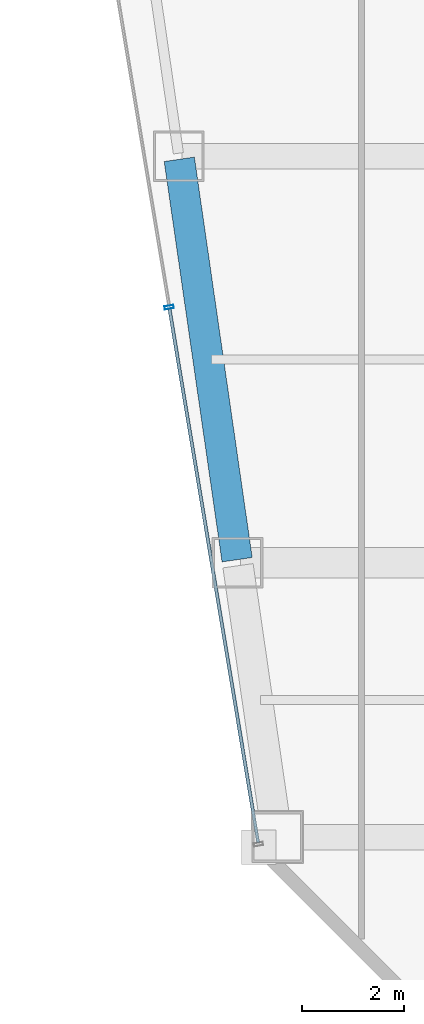
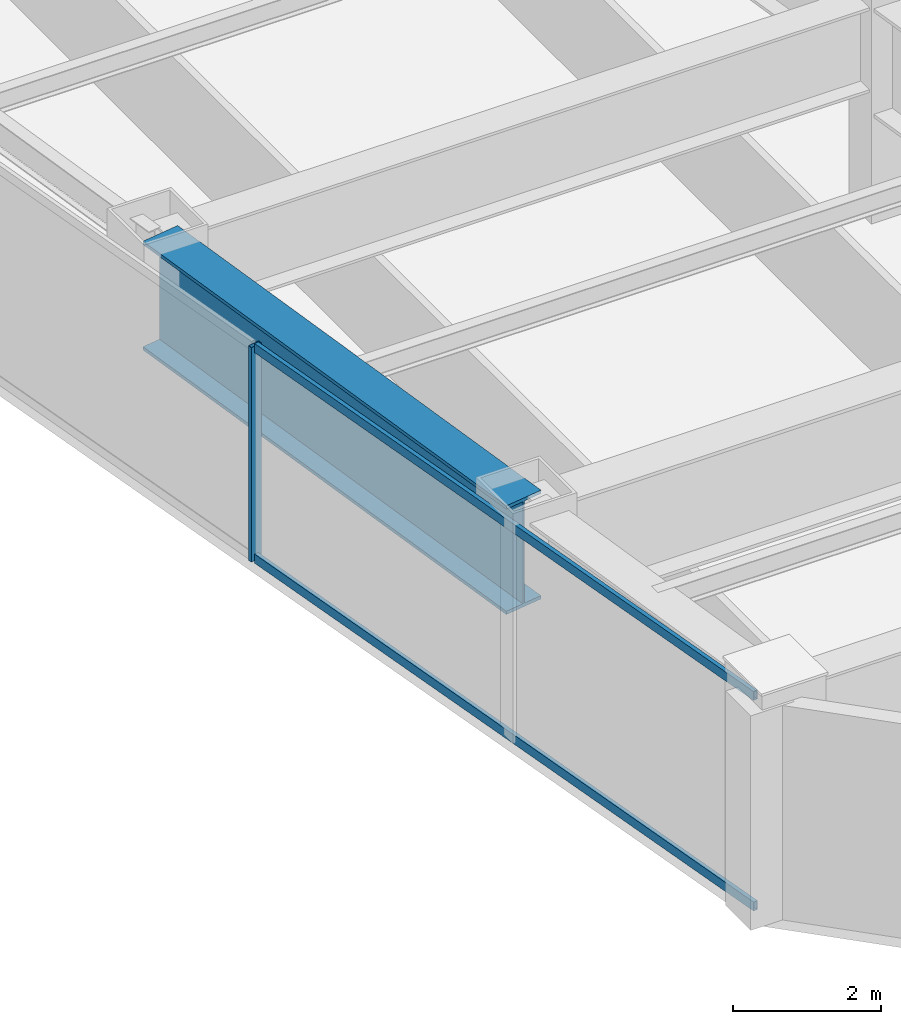
# One storey, part 3 of 37: 3 members, 1 beam, 1 element without a shape of its own.
"""IFC4 building model written with IfcOpenShell, lengths in metres."""

from ifc_helpers import new_model, si_unit, direction, frame, origin, origin_2d, place, context, subcontext, project, spatial, hollow_rectangle, i_section, extrude, material, material_profile, profile_set, type_object, element, aggregate, save


model = new_model("IFC4")

# Units and contexts
model_context = context("Model", 3, precision=1e-05, world=origin(), true_north=direction((0.0, 1.0)))
body_context = subcontext(model_context, "Body", "Model", "MODEL_VIEW")
ifc_project = project(units=[si_unit("LENGTHUNIT", "METRE"), si_unit("AREAUNIT", "SQUARE_METRE"), si_unit("VOLUMEUNIT", "CUBIC_METRE"), si_unit("PLANEANGLEUNIT", "RADIAN"), si_unit("MASSUNIT", "GRAM", prefix="KILO")], contexts=[model_context])

# Site, building, storey
site_placement = place(None, origin())
site = spatial("IfcSite", under=ifc_project, at=site_placement, CompositionType="ELEMENT")
building_placement = place(site_placement, origin())
building = spatial("IfcBuilding", under=site, at=building_placement, Name="Saevonmaru Cultural Tower", CompositionType="ELEMENT")
storey_placement = place(building_placement, frame((0.0, 0.0, 163.800048828125)))
storey = spatial("IfcBuildingStorey", under=building, at=storey_placement, Name="L36", CompositionType="ELEMENT", Elevation=163.800048828125)

# Beam
ifc_material_1 = material(Name="Steel HSA600 (600 MPa)", Category="steel")
ifc_material_profile_1 = material_profile(ifc_material_1, i_section(OverallWidth=0.60009765625, OverallDepth=1.800048828125, WebThickness=0.028076171875, FlangeThickness=0.054931640625, at=origin_2d()), Name="PG-1800x600x28x55")
ifc_profile_set_1 = profile_set([ifc_material_profile_1], Name="Steel HSA600 (600 MPa)")
beam_type = type_object("IfcBeamType", Name="BM-TG-PG1800-EXT", PredefinedType="SPANDREL", material=ifc_profile_set_1)
beam_placement = place(storey_placement, frame((10.619384765625, 16.059326171875, 2.64990234375), z_axis=(-0.142992129437, 0.989723825579, 0.0), x_axis=(-0.989723825579, -0.142992129437, 0.0)))
element("IfcBeam", 1, at=beam_placement, inside=storey, type_object=beam_type, Name="L36 West Splayed Spandrel 2", PredefinedType="SPANDREL", context=body_context, shape_type="SweptSolid", body=[
    extrude(i_section(OverallWidth=0.60009765625, OverallDepth=1.800048828125, WebThickness=0.028076171875, FlangeThickness=0.054931640625, at=origin_2d()), origin(), (0.0, 0.0, 1.0), 7.963134765625),
])

# Curtain wall, members
ifc_material_2 = material(Name="Satin Bronze Anodised Aluminium", Category="aluminium")
curtain_wall_type = type_object("IfcCurtainWallType", Name="CW-TYP-A", PredefinedType="NOTDEFINED", material=ifc_material_2)
curtain_wall_placement = place(storey_placement, origin())
curtain_wall = element("IfcCurtainWall", 2, at=curtain_wall_placement, inside=storey, type_object=curtain_wall_type, Name="L36 Unitised Curtain Wall E12", PredefinedType="NOTDEFINED")
ifc_material_profile_2 = material_profile(ifc_material_2, hollow_rectangle(XDim=0.06494140625, YDim=0.179931640625, WallThickness=0.00390625, at=origin_2d()), Name="ALU-MULL-180x65x4")
ifc_profile_set_2 = profile_set([ifc_material_profile_2], Name="Satin Bronze Anodised Aluminium")
member_type_1 = type_object("IfcMemberType", Name="ML-CW-180x65", PredefinedType="MULLION", material=ifc_profile_set_2)
member_1_placement = place(storey_placement, frame((9.28173828125, 21.029541015625, 0.0), z_axis=(0.0, 0.0, 1.0), x_axis=(0.163998702345, -0.986460554523, 0.0)))
member_1 = element("IfcMember", 3, at=member_1_placement, type_object=member_type_1, Name="CW-TW-L36-E12 mullion 4", PredefinedType="MULLION", context=body_context, shape_type="SweptSolid", body=[
    extrude(hollow_rectangle(XDim=0.06494140625, YDim=0.179931640625, WallThickness=0.00390625, at=origin_2d()), origin(), (0.0, 0.0, 1.0), 3.550048828125),
])
ifc_material_profile_3 = material_profile(ifc_material_2, hollow_rectangle(XDim=0.06494140625, YDim=0.14990234375, WallThickness=0.00390625, at=origin_2d()), Name="ALU-TRAN-150x65x4")
ifc_profile_set_3 = profile_set([ifc_material_profile_3], Name="Satin Bronze Anodised Aluminium")
member_type_2 = type_object("IfcMemberType", Name="TR-CW-150x65", PredefinedType="USERDEFINED", material=ifc_profile_set_3)
member_2_placement = place(storey_placement, frame((9.287109375, 20.99755859375, 0.032470703125), z_axis=(0.163990079074, -0.9864619881, 0.0), x_axis=(0.9864619881, 0.163990079074, 0.0)))
member_2 = element("IfcMember", 4, at=member_2_placement, type_object=member_type_2, Name="CW-TW-L36-E12 transom 4.1", ObjectType="TRANSOM", PredefinedType="USERDEFINED", context=body_context, shape_type="SweptSolid", body=[
    extrude(hollow_rectangle(XDim=0.06494140625, YDim=0.14990234375, WallThickness=0.00390625, at=origin_2d()), origin(), (0.0, 0.0, 1.0), 10.650634765625),
])
member_3_placement = place(storey_placement, frame((9.287109375, 20.99755859375, 3.517333984375), z_axis=(0.163990079074, -0.9864619881, 0.0), x_axis=(0.9864619881, 0.163990079074, 0.0)))
member_3 = element("IfcMember", 5, at=member_3_placement, type_object=member_type_2, Name="CW-TW-L36-E12 transom 4.2", ObjectType="TRANSOM", PredefinedType="USERDEFINED", context=body_context, shape_type="SweptSolid", body=[
    extrude(hollow_rectangle(XDim=0.06494140625, YDim=0.14990234375, WallThickness=0.00390625, at=origin_2d()), origin(), (0.0, 0.0, 1.0), 10.650634765625),
])
aggregate(curtain_wall, [member_1, member_2, member_3])

save(model, "model.ifc")
